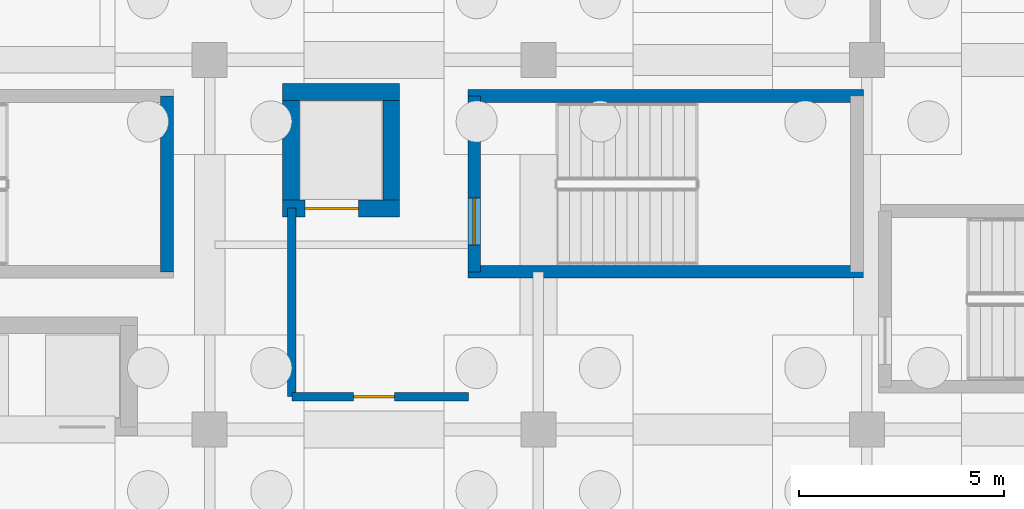
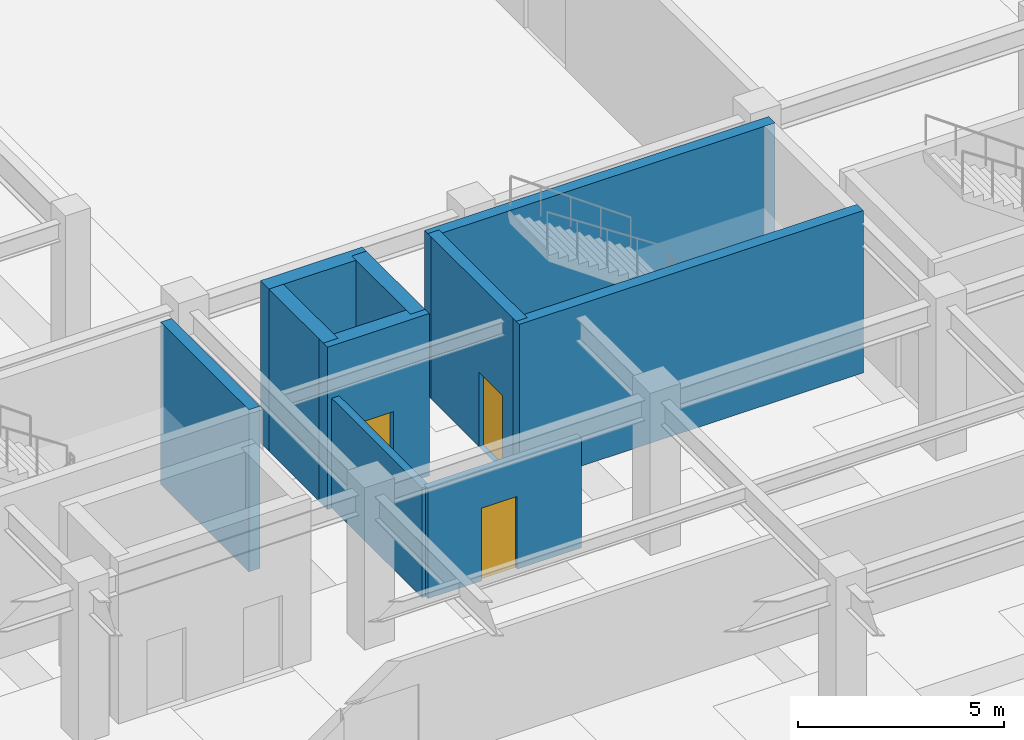
# One storey, part 27 of 48: 10 walls, 3 doors, 3 openings.
"""IFC4 building model written with IfcOpenShell, lengths in metres."""

from ifc_helpers import new_model, si_unit, direction, frame, frame_2d, origin, place, context, subcontext, project, spatial, rectangle, extrude, material, layer, layer_set, type_object, element, fill, save


model = new_model("IFC4")

# Units and contexts
model_context = context("Model", 3, precision=1e-05, world=origin(), true_north=direction((0.0, 1.0)))
body_context = subcontext(model_context, "Body", "Model", "MODEL_VIEW")
ifc_project = project(units=[si_unit("LENGTHUNIT", "METRE"), si_unit("AREAUNIT", "SQUARE_METRE"), si_unit("VOLUMEUNIT", "CUBIC_METRE"), si_unit("PLANEANGLEUNIT", "RADIAN"), si_unit("MASSUNIT", "GRAM", prefix="KILO")], contexts=[model_context])

# Site, building, storey
site_placement = place(None, origin())
site = spatial("IfcSite", under=ifc_project, at=site_placement, CompositionType="ELEMENT")
building_placement = place(site_placement, origin())
building = spatial("IfcBuilding", under=site, at=building_placement, Name="Tlacozan Convention Centre", CompositionType="ELEMENT")
storey_placement = place(building_placement, frame((0.0, 0.0, -4.800048828125)))
storey = spatial("IfcBuildingStorey", under=building, at=storey_placement, Name="B01", CompositionType="ELEMENT", Elevation=-4.800048828125)

# Wall, opening, door
ifc_material_1 = material(Name="Concrete C40/50", Category="concrete")
ifc_layer_1 = layer(ifc_material_1, 0.409912109375)
ifc_layer_set_1 = layer_set([ifc_layer_1], Name="Concrete C40/50")
wall_type_1 = type_object("IfcWallType", Name="Core Shear Wall RC 410", PredefinedType="SHEAR", material=ifc_layer_set_1)
wall_1_placement = place(storey_placement, frame((33.77490234375, 23.3798828125, 0.0), z_axis=(0.0, 0.0, 1.0), x_axis=(1.0, 0.0, 0.0)))
wall_1 = element("IfcWall", 1, at=wall_1_placement, inside=storey, type_object=wall_type_1, Name="B01 Core Shear Wall RC 410 175", PredefinedType="SHEAR", context=body_context, shape_type="SweptSolid", body=[
    extrude(rectangle(XDim=2.85009765625, YDim=0.409912109375, at=frame_2d((1.425048828125, 0.0))), origin(), (0.0, 0.0, 1.0), 4.800048828125),
])
opening_1_placement = place(wall_1_placement, frame((0.550048828125, 0.0, 0.0)))
opening_1 = element("IfcOpeningElement", 2, at=opening_1_placement, cuts=wall_1, Name="Opening LD-02", PredefinedType="OPENING", context=body_context, shape_type="SweptSolid", body=[
    extrude(rectangle(XDim=1.300048828125, YDim=2.25, at=frame_2d((0.64990234375, 1.125))), frame((0.0, 0.21484375, 0.0), z_axis=(0.0, -1.0, 0.0), x_axis=(1.0, 0.0, 0.0)), (0.0, 0.0, 1.0), 0.429931640625),
])
ifc_material_2 = material(Name="Brushed Stainless Steel Sliding Landing Door", Category="steel")
door_type_1 = type_object("IfcDoorType", Name="Firefighting Lift Sliding Door 1300x2250", OperationType="DOUBLE_DOOR_SLIDING", PredefinedType="DOOR", material=ifc_material_2)
door_1_placement = place(opening_1_placement, origin())
door_1 = element("IfcDoor", 3, at=door_1_placement, inside=storey, type_object=door_type_1, Name="B01 Firefighting Lift FL-03 Landing Door", OperationType="DOUBLE_DOOR_SLIDING", OverallHeight=2.25, OverallWidth=1.300048828125, PredefinedType="DOOR", context=body_context, shape_type="SweptSolid", body=[
    extrude(rectangle(XDim=1.300048828125, YDim=2.25, at=frame_2d((0.64990234375, 1.125))), frame((0.0, 0.02490234375, 0.0), z_axis=(0.0, -1.0, 0.0), x_axis=(1.0, 0.0, 0.0)), (0.0, 0.0, 1.0), 0.050048828125),
])
fill(opening_1, door_1)

# Walls
wall_2_placement = place(storey_placement, frame((33.77490234375, 26.219970703125, 0.0), z_axis=(0.0, 0.0, 1.0), x_axis=(1.0, 0.0, 0.0)))
element("IfcWall", 4, at=wall_2_placement, inside=storey, type_object=wall_type_1, Name="B01 Core Shear Wall RC 410 176", PredefinedType="SHEAR", context=body_context, shape_type="SweptSolid", body=[
    extrude(rectangle(XDim=2.85009765625, YDim=0.409912109375, at=frame_2d((1.425048828125, 0.0))), origin(), (0.0, 0.0, 1.0), 4.800048828125),
])
for number, where, z_axis, x_axis, name in (
    (5, (33.97998046875, 23.3798828125, 0.0), (0.0, 0.0, 1.0), (0.0, 1.0, 0.0), "B01 Core Shear Wall RC 410 177"),
    (6, (36.419921875, 23.3798828125, 0.0), (0.0, 0.0, 1.0), (0.0, 1.0, 0.0), "B01 Core Shear Wall RC 410 178"),
):
    element("IfcWall", number, at=place(storey_placement, frame(where, z_axis=z_axis, x_axis=x_axis)), inside=storey, type_object=wall_type_1, Name=name, PredefinedType="SHEAR", context=body_context, shape_type="SweptSolid", body=[
        extrude(rectangle(XDim=2.840087890625, YDim=0.409912109375, at=frame_2d((1.419921875, 0.0))), origin(), (0.0, 0.0, 1.0), 4.800048828125),
    ])

# Wall, opening, door
ifc_material_3 = material(Name="Fire-Rated Gypsum Stud Partition Assembly")
ifc_layer_2 = layer(ifc_material_3, 0.2099609375)
ifc_layer_set_2 = layer_set([ifc_layer_2], Name="Fire-Rated Gypsum Stud Partition Assembly")
wall_type_2 = type_object("IfcWallType", Name="Firefighting Lobby Rated Wall 210", PredefinedType="PARTITIONING", material=ifc_layer_set_2)
wall_3_placement = place(storey_placement, frame((34.0, 18.800048828125, 0.0), z_axis=(0.0, 0.0, 1.0), x_axis=(1.0, 0.0, 0.0)))
wall_3 = element("IfcWall", 7, at=wall_3_placement, inside=storey, type_object=wall_type_2, Name="B01 Firefighting Lobby Rated Wall 210 173", PredefinedType="PARTITIONING", context=body_context, shape_type="SweptSolid", body=[
    extrude(rectangle(XDim=4.300048828125, YDim=0.2099609375, at=frame_2d((2.14990234375, 0.0))), origin(), (0.0, 0.0, 1.0), 3.25),
])
opening_2_placement = place(wall_3_placement, frame((1.5, 0.0, 0.0)))
opening_2 = element("IfcOpeningElement", 8, at=opening_2_placement, cuts=wall_3, Name="Opening FD-01", PredefinedType="OPENING", context=body_context, shape_type="SweptSolid", body=[
    extrude(rectangle(XDim=1.0, YDim=2.14990234375, at=frame_2d((0.5, 1.074951171875))), frame((0.0, 0.114990234375, 0.0), z_axis=(0.0, -1.0, 0.0), x_axis=(1.0, 0.0, 0.0)), (0.0, 0.0, 1.0), 0.22998046875),
])
ifc_material_4 = material(Name="Fire-Rated Insulated Steel Door Leaf", Category="steel")
door_type_2 = type_object("IfcDoorType", Name="Fire Door Single 1000x2150 FD90", OperationType="NOTDEFINED", PredefinedType="DOOR", material=ifc_material_4)
door_2_placement = place(opening_2_placement, origin())
door_2 = element("IfcDoor", 9, at=door_2_placement, inside=storey, type_object=door_type_2, Name="B01 CORE-3 Firefighting Lobby Entry Door", OperationType="SINGLE_SWING_LEFT", OverallHeight=2.14990234375, OverallWidth=1.0, PredefinedType="DOOR", context=body_context, shape_type="SweptSolid", body=[
    extrude(rectangle(XDim=1.0, YDim=2.14990234375, at=frame_2d((0.5, 1.074951171875))), frame((0.0, 0.02490234375, 0.0), z_axis=(0.0, -1.0, 0.0), x_axis=(1.0, 0.0, 0.0)), (0.0, 0.0, 1.0), 0.050048828125),
])
fill(opening_2, door_2)

# Walls
wall_4_placement = place(storey_placement, frame((34.0, 18.800048828125, 0.0), z_axis=(0.0, 0.0, 1.0), x_axis=(0.0, 1.0, 0.0)))
element("IfcWall", 10, at=wall_4_placement, inside=storey, type_object=wall_type_2, Name="B01 Firefighting Lobby Rated Wall 210 174", PredefinedType="PARTITIONING", context=body_context, shape_type="SweptSolid", body=[
    extrude(rectangle(XDim=4.599853515625, YDim=0.2099609375, at=frame_2d((2.2998046875, 0.0))), origin(), (0.0, 0.0, 1.0), 3.25),
])
ifc_layer_3 = layer(ifc_material_1, 0.31005859375)
ifc_layer_set_3 = layer_set([ifc_layer_3], Name="Concrete C40/50")
wall_type_3 = type_object("IfcWallType", Name="Stair Shaft Shear Wall RC 310", PredefinedType="SHEAR", material=ifc_layer_set_3)
wall_5_placement = place(storey_placement, frame((30.9599609375, 21.840087890625, 0.0), z_axis=(0.0, 0.0, 1.0), x_axis=(0.0, 1.0, 0.0)))
element("IfcWall", 11, at=wall_5_placement, inside=storey, type_object=wall_type_3, Name="B01 Stair Shaft Shear Wall RC 310 4", PredefinedType="SHEAR", context=body_context, shape_type="SweptSolid", body=[
    extrude(rectangle(XDim=4.280029296875, YDim=0.31005859375, at=frame_2d((2.14013671875, 0.0))), origin(), (0.0, 0.0, 1.0), 4.800048828125),
])
for number, where, z_axis, x_axis, name in (
    (12, (38.284912109375, 21.840087890625, 0.0), (0.0, 0.0, 1.0), (1.0, 0.0, 0.0), "B01 Stair Shaft Shear Wall RC 310 169"),
    (13, (38.284912109375, 26.1201171875, 0.0), (0.0, 0.0, 1.0), (1.0, 0.0, 0.0), "B01 Stair Shaft Shear Wall RC 310 170"),
):
    element("IfcWall", number, at=place(storey_placement, frame(where, z_axis=z_axis, x_axis=x_axis)), inside=storey, type_object=wall_type_3, Name=name, PredefinedType="SHEAR", context=body_context, shape_type="SweptSolid", body=[
        extrude(rectangle(XDim=9.630126953125, YDim=0.31005859375, at=frame_2d((4.81494140625, 0.0))), origin(), (0.0, 0.0, 1.0), 4.800048828125),
    ])

# Wall, opening, door
wall_6_placement = place(storey_placement, frame((38.43994140625, 21.840087890625, 0.0), z_axis=(0.0, 0.0, 1.0), x_axis=(0.0, 1.0, 0.0)))
wall_6 = element("IfcWall", 14, at=wall_6_placement, inside=storey, type_object=wall_type_3, Name="B01 Stair Shaft Shear Wall RC 310 171", PredefinedType="SHEAR", context=body_context, shape_type="SweptSolid", body=[
    extrude(rectangle(XDim=4.280029296875, YDim=0.31005859375, at=frame_2d((2.14013671875, 0.0))), origin(), (0.0, 0.0, 1.0), 4.800048828125),
])
opening_3_placement = place(wall_6_placement, frame((0.64990234375, 0.0, 0.0)))
opening_3 = element("IfcOpeningElement", 15, at=opening_3_placement, cuts=wall_6, Name="Opening FD-02", PredefinedType="OPENING", context=body_context, shape_type="SweptSolid", body=[
    extrude(rectangle(XDim=1.14990234375, YDim=2.199951171875, at=frame_2d((0.574951171875, 1.10009765625))), frame((0.0, 0.1650390625, 0.0), z_axis=(0.0, -1.0, 0.0), x_axis=(1.0, 0.0, 0.0)), (0.0, 0.0, 1.0), 0.330078125),
])
door_type_3 = type_object("IfcDoorType", Name="Fire Door Stair 1150x2200 FD90", OperationType="NOTDEFINED", PredefinedType="DOOR", material=ifc_material_4)
door_3_placement = place(opening_3_placement, origin())
door_3 = element("IfcDoor", 16, at=door_3_placement, inside=storey, type_object=door_type_3, Name="B01 Stair ST-04 Fire Door", OperationType="SINGLE_SWING_RIGHT", OverallHeight=2.199951171875, OverallWidth=1.14990234375, PredefinedType="DOOR", context=body_context, shape_type="SweptSolid", body=[
    extrude(rectangle(XDim=1.14990234375, YDim=2.199951171875, at=frame_2d((0.574951171875, 1.10009765625))), frame((0.0, 0.02490234375, 0.0), z_axis=(0.0, -1.0, 0.0), x_axis=(1.0, 0.0, 0.0)), (0.0, 0.0, 1.0), 0.050048828125),
])
fill(opening_3, door_3)

save(model, "model.ifc")
